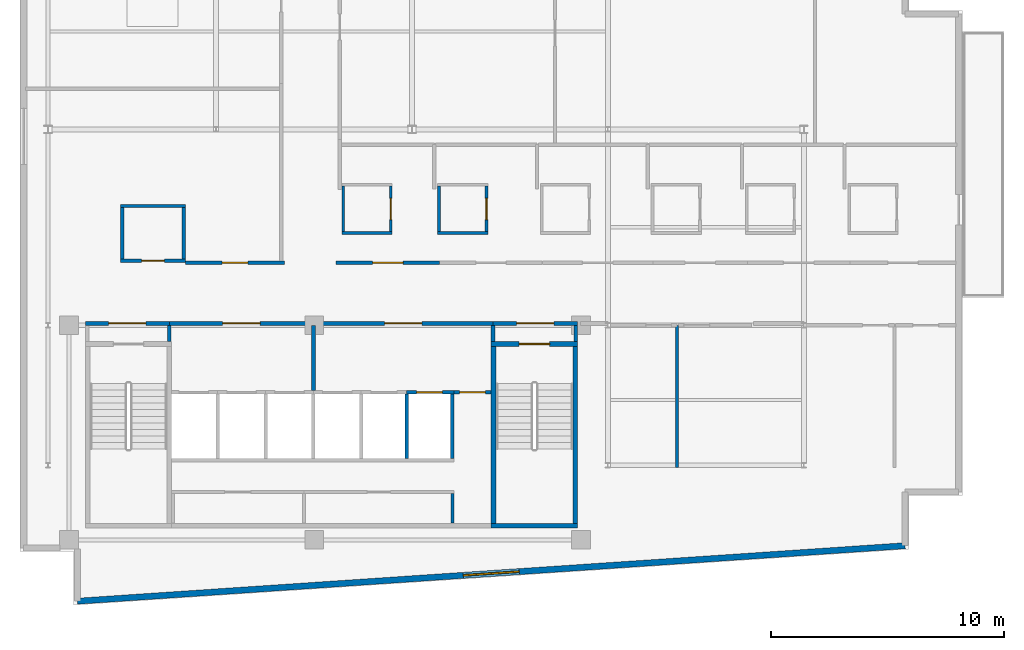
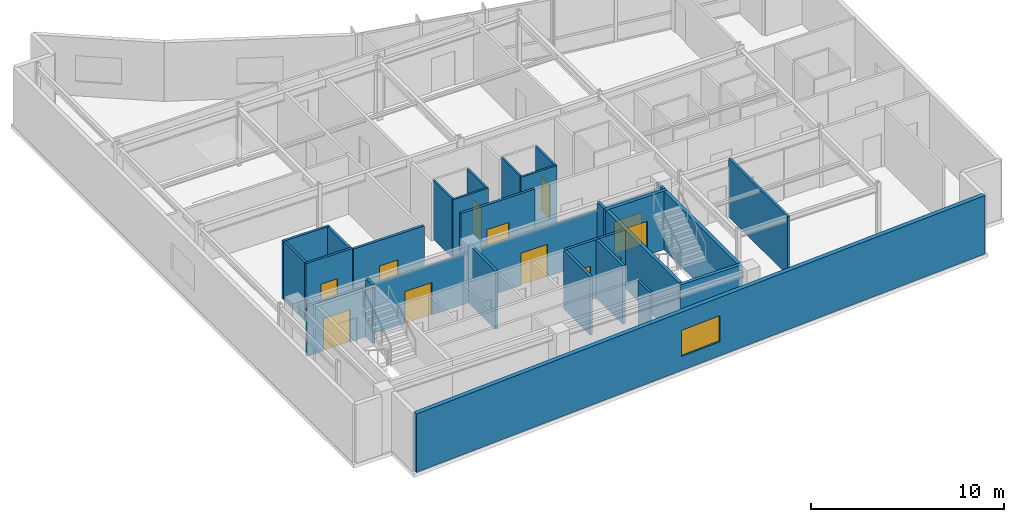
# One storey, part 10 of 16: 31 walls, 12 doors, 1 window, 13 openings.
"""IFC4 building model written with IfcOpenShell, lengths in metres."""

from ifc_helpers import new_model, si_unit, direction, frame, frame_2d, origin, place, context, subcontext, project, spatial, rectangle, extrude, material, layer, layer_set, type_object, element, fill, save


model = new_model("IFC4")

# Units and contexts
model_context = context("Model", 3, precision=1e-05, world=origin(), true_north=direction((0.0, 1.0)))
body_context = subcontext(model_context, "Body", "Model", "MODEL_VIEW")
ifc_project = project(units=[si_unit("LENGTHUNIT", "METRE"), si_unit("AREAUNIT", "SQUARE_METRE"), si_unit("VOLUMEUNIT", "CUBIC_METRE"), si_unit("PLANEANGLEUNIT", "RADIAN"), si_unit("MASSUNIT", "GRAM", prefix="KILO")], contexts=[model_context])

# Site, building, storey
site_placement = place(None, origin())
site = spatial("IfcSite", under=ifc_project, at=site_placement, CompositionType="ELEMENT")
building_placement = place(site_placement, origin())
building = spatial("IfcBuilding", under=site, at=building_placement, Name="Varnakote Quay Hospital", CompositionType="ELEMENT")
storey_placement = place(building_placement, frame((0.0, 0.0, 296.050048828125)))
storey = spatial("IfcBuildingStorey", under=building, at=storey_placement, Name="L73", CompositionType="ELEMENT", Elevation=296.050048828125)

# Wall, opening, door
ifc_material_1 = material(Name="Fire-rated acoustic gypsum stud wall", Category="gypsum")
ifc_layer_1 = layer(ifc_material_1, 0.159912109375)
ifc_layer_set_1 = layer_set([ifc_layer_1], Name="Fire-rated acoustic gypsum stud wall")
wall_type_1 = type_object("IfcWallType", Name="WL-COMP-160", PredefinedType="PARTITIONING", material=ifc_layer_set_1)
wall_1_placement = place(storey_placement, frame((2.800048828125, 12.080078125, 0.0), z_axis=(0.0, 0.0, 1.0), x_axis=(1.0, 0.0, 0.0)))
wall_1 = element("IfcWall", 1, at=wall_1_placement, inside=storey, type_object=wall_type_1, Name="L73 West Stair Vestibule Smoke Wall", PredefinedType="PARTITIONING", context=body_context, shape_type="SweptSolid", body=[
    extrude(rectangle(XDim=3.599853515625, YDim=0.159912109375, at=frame_2d((1.7998046875, 0.0))), origin(), (0.0, 0.0, 1.0), 3.156982421875),
])
opening_1_placement = place(wall_1_placement, frame((1.0, 0.0, 0.0)))
opening_1 = element("IfcOpeningElement", 2, at=opening_1_placement, cuts=wall_1, Name="Opening D-ST1L-L73", PredefinedType="OPENING", context=body_context, shape_type="SweptSolid", body=[
    extrude(rectangle(XDim=1.60009765625, YDim=2.050048828125, at=frame_2d((0.800048828125, 1.02490234375))), frame((0.0, 0.08984375, 0.0), z_axis=(0.0, -1.0, 0.0), x_axis=(1.0, 0.0, 0.0)), (0.0, 0.0, 1.0), 0.179931640625),
])
ifc_material_2 = material(Name="Fire-rated double smoke lobby door")
door_type_1 = type_object("IfcDoorType", Name="DR-LOBBY-FD60S-1600x2150", OperationType="NOTDEFINED", PredefinedType="DOOR", material=ifc_material_2)
door_1_placement = place(opening_1_placement, origin())
door_1 = element("IfcDoor", 3, at=door_1_placement, inside=storey, type_object=door_type_1, Name="L73 West Stair Vestibule Smoke Door", OperationType="DOUBLE_DOOR_SINGLE_SWING", OverallHeight=2.050048828125, OverallWidth=1.60009765625, PredefinedType="DOOR", context=body_context, shape_type="SweptSolid", body=[
    extrude(rectangle(XDim=1.60009765625, YDim=2.050048828125, at=frame_2d((0.800048828125, 1.02490234375))), frame((0.0, 0.02490234375, 0.0), z_axis=(0.0, -1.0, 0.0), x_axis=(1.0, 0.0, 0.0)), (0.0, 0.0, 1.0), 0.050048828125),
])
fill(opening_1, door_1)

# Wall
wall_2_placement = place(storey_placement, frame((6.39990234375, 11.300048828125, 0.0), z_axis=(0.0, 0.0, 1.0), x_axis=(0.0, 1.0, 0.0)))
element("IfcWall", 4, at=wall_2_placement, inside=storey, type_object=wall_type_1, Name="L73 Firefighting Lobby West Wall", PredefinedType="PARTITIONING", context=body_context, shape_type="SweptSolid", body=[
    extrude(rectangle(XDim=0.699951171875, YDim=0.159912109375, at=frame_2d((0.35009765625, 0.0))), origin(), (0.0, 0.0, 1.0), 3.7099609375),
])

# Wall, opening, door
wall_3_placement = place(storey_placement, frame((6.39990234375, 12.080078125, 0.0), z_axis=(0.0, 0.0, 1.0), x_axis=(1.0, 0.0, 0.0)))
wall_3 = element("IfcWall", 5, at=wall_3_placement, inside=storey, type_object=wall_type_1, Name="L73 Firefighting Lift Lobby Compartment Wall", PredefinedType="PARTITIONING", context=body_context, shape_type="SweptSolid", body=[
    extrude(rectangle(XDim=6.18017578125, YDim=0.159912109375, at=frame_2d((3.090087890625, 0.0))), origin(), (0.0, 0.0, 1.0), 3.156982421875),
])
opening_2_placement = place(wall_3_placement, frame((2.2900390625, 0.0, 0.0)))
opening_2 = element("IfcOpeningElement", 6, at=opening_2_placement, cuts=wall_3, Name="Opening D-FFL-L73", PredefinedType="OPENING", context=body_context, shape_type="SweptSolid", body=[
    extrude(rectangle(XDim=1.60009765625, YDim=2.050048828125, at=frame_2d((0.800048828125, 1.02490234375))), frame((0.0, 0.08984375, 0.0), z_axis=(0.0, -1.0, 0.0), x_axis=(1.0, 0.0, 0.0)), (0.0, 0.0, 1.0), 0.179931640625),
])
door_2_placement = place(opening_2_placement, origin())
door_2 = element("IfcDoor", 7, at=door_2_placement, inside=storey, type_object=door_type_1, Name="L73 Firefighting Smoke Vestibule Door", OperationType="DOUBLE_DOOR_SINGLE_SWING", OverallHeight=2.050048828125, OverallWidth=1.60009765625, PredefinedType="DOOR", context=body_context, shape_type="SweptSolid", body=[
    extrude(rectangle(XDim=1.60009765625, YDim=2.050048828125, at=frame_2d((0.800048828125, 1.02490234375))), frame((0.0, 0.02490234375, 0.0), z_axis=(0.0, -1.0, 0.0), x_axis=(1.0, 0.0, 0.0)), (0.0, 0.0, 1.0), 0.050048828125),
])
fill(opening_2, door_2)

# Wall
wall_4_placement = place(storey_placement, frame((12.580078125, 9.2099609375, 0.0), z_axis=(0.0, 0.0, 1.0), x_axis=(0.0, 1.0, 0.0)))
element("IfcWall", 8, at=wall_4_placement, inside=storey, type_object=wall_type_1, Name="L73 Firefighting to Service Lobby Wall", PredefinedType="PARTITIONING", context=body_context, shape_type="SweptSolid", body=[
    extrude(rectangle(XDim=2.7900390625, YDim=0.159912109375, at=frame_2d((1.39501953125, 0.0))), origin(), (0.0, 0.0, 1.0), 3.7099609375),
])

# Wall, opening, door
wall_5_placement = place(storey_placement, frame((12.580078125, 12.080078125, 0.0), z_axis=(0.0, 0.0, 1.0), x_axis=(1.0, 0.0, 0.0)))
wall_5 = element("IfcWall", 9, at=wall_5_placement, inside=storey, type_object=wall_type_1, Name="L73 Clinical Bed Lift Lobby Wall", PredefinedType="PARTITIONING", context=body_context, shape_type="SweptSolid", body=[
    extrude(rectangle(XDim=7.699951171875, YDim=0.159912109375, at=frame_2d((3.85009765625, 0.0))), origin(), (0.0, 0.0, 1.0), 3.156982421875),
])
opening_3_placement = place(wall_5_placement, frame((3.050048828125, 0.0, 0.0)))
opening_3 = element("IfcOpeningElement", 10, at=opening_3_placement, cuts=wall_5, Name="Opening D-SVL-L73", PredefinedType="OPENING", context=body_context, shape_type="SweptSolid", body=[
    extrude(rectangle(XDim=1.60009765625, YDim=2.050048828125, at=frame_2d((0.800048828125, 1.02490234375))), frame((0.0, 0.08984375, 0.0), z_axis=(0.0, -1.0, 0.0), x_axis=(1.0, 0.0, 0.0)), (0.0, 0.0, 1.0), 0.179931640625),
])
door_3_placement = place(opening_3_placement, origin())
door_3 = element("IfcDoor", 11, at=door_3_placement, inside=storey, type_object=door_type_1, Name="L73 Clinical Core Smoke Vestibule Door", OperationType="DOUBLE_DOOR_SINGLE_SWING", OverallHeight=2.050048828125, OverallWidth=1.60009765625, PredefinedType="DOOR", context=body_context, shape_type="SweptSolid", body=[
    extrude(rectangle(XDim=1.60009765625, YDim=2.050048828125, at=frame_2d((0.800048828125, 1.02490234375))), frame((0.0, 0.02490234375, 0.0), z_axis=(0.0, -1.0, 0.0), x_axis=(1.0, 0.0, 0.0)), (0.0, 0.0, 1.0), 0.050048828125),
])
fill(opening_3, door_3)

# Wall
wall_6_placement = place(storey_placement, frame((20.280029296875, 11.300048828125, 0.0), z_axis=(0.0, 0.0, 1.0), x_axis=(0.0, 1.0, 0.0)))
element("IfcWall", 12, at=wall_6_placement, inside=storey, type_object=wall_type_1, Name="L73 East Stair Vestibule Divider Wall", PredefinedType="PARTITIONING", context=body_context, shape_type="SweptSolid", body=[
    extrude(rectangle(XDim=0.699951171875, YDim=0.159912109375, at=frame_2d((0.35009765625, 0.0))), origin(), (0.0, 0.0, 1.0), 3.7099609375),
])

# Wall, opening, door
wall_7_placement = place(storey_placement, frame((20.280029296875, 12.080078125, 0.0), z_axis=(0.0, 0.0, 1.0), x_axis=(1.0, 0.0, 0.0)))
wall_7 = element("IfcWall", 13, at=wall_7_placement, inside=storey, type_object=wall_type_1, Name="L73 East Stair Vestibule Smoke Wall", PredefinedType="PARTITIONING", context=body_context, shape_type="SweptSolid", body=[
    extrude(rectangle(XDim=3.619873046875, YDim=0.159912109375, at=frame_2d((1.81005859375, 0.0))), origin(), (0.0, 0.0, 1.0), 3.156982421875),
])
opening_4_placement = place(wall_7_placement, frame((1.010009765625, 0.0, 0.0)))
opening_4 = element("IfcOpeningElement", 14, at=opening_4_placement, cuts=wall_7, Name="Opening D-ST2L-L73", PredefinedType="OPENING", context=body_context, shape_type="SweptSolid", body=[
    extrude(rectangle(XDim=1.60009765625, YDim=2.050048828125, at=frame_2d((0.800048828125, 1.02490234375))), frame((0.0, 0.08984375, 0.0), z_axis=(0.0, -1.0, 0.0), x_axis=(1.0, 0.0, 0.0)), (0.0, 0.0, 1.0), 0.179931640625),
])
door_4_placement = place(opening_4_placement, origin())
door_4 = element("IfcDoor", 15, at=door_4_placement, inside=storey, type_object=door_type_1, Name="L73 East Stair Vestibule Smoke Door", OperationType="DOUBLE_DOOR_SINGLE_SWING", OverallHeight=2.050048828125, OverallWidth=1.60009765625, PredefinedType="DOOR", context=body_context, shape_type="SweptSolid", body=[
    extrude(rectangle(XDim=1.60009765625, YDim=2.050048828125, at=frame_2d((0.800048828125, 1.02490234375))), frame((0.0, 0.02490234375, 0.0), z_axis=(0.0, -1.0, 0.0), x_axis=(1.0, 0.0, 0.0)), (0.0, 0.0, 1.0), 0.050048828125),
])
fill(opening_4, door_4)

# Walls
wall_8_placement = place(storey_placement, frame((23.820068359375, 11.300048828125, 0.0), z_axis=(0.0, 0.0, 1.0), x_axis=(0.0, 1.0, 0.0)))
element("IfcWall", 16, at=wall_8_placement, inside=storey, type_object=wall_type_1, Name="L73 East Stair Vestibule East Wall", PredefinedType="PARTITIONING", context=body_context, shape_type="SweptSolid", body=[
    extrude(rectangle(XDim=0.699951171875, YDim=0.159912109375, at=frame_2d((0.35009765625, 0.0))), origin(), (0.0, 0.0, 1.0), 3.7099609375),
])
ifc_material_3 = material(Name="Moisture-resistant bathroom partition", Category="gypsum")
ifc_layer_2 = layer(ifc_material_3, 0.114990234375)
ifc_layer_set_2 = layer_set([ifc_layer_2], Name="Moisture-resistant bathroom partition")
wall_type_2 = type_object("IfcWallType", Name="WL-ENS-115", PredefinedType="PARTITIONING", material=ifc_layer_set_2)
wall_9_placement = place(storey_placement, frame((13.804931640625, 15.952392578125, 0.0), z_axis=(0.0, 0.0, 1.0), x_axis=(1.0, 0.0, 0.0)))
element("IfcWall", 17, at=wall_9_placement, inside=storey, type_object=wall_type_2, Name="L73 Inpatient En-Suite Bathroom 01 S Wall", PredefinedType="PARTITIONING", context=body_context, shape_type="SweptSolid", body=[
    extrude(rectangle(XDim=2.150146484375, YDim=0.114990234375, at=frame_2d((1.0751953125, 0.0))), origin(), (0.0, 0.0, 1.0), 3.7099609375),
])
wall_10_placement = place(storey_placement, frame((13.862548828125, 16.010009765625, 0.0), z_axis=(0.0, 0.0, 1.0), x_axis=(0.0, 1.0, 0.0)))
element("IfcWall", 18, at=wall_10_placement, inside=storey, type_object=wall_type_2, Name="L73 Inpatient En-Suite Bathroom 01 W Wall", PredefinedType="PARTITIONING", context=body_context, shape_type="SweptSolid", body=[
    extrude(rectangle(XDim=1.949951171875, YDim=0.114990234375, at=frame_2d((0.97509765625, 0.0))), origin(), (0.0, 0.0, 1.0), 3.7099609375),
])

# Wall, opening, door
wall_11_placement = place(storey_placement, frame((15.8974609375, 16.010009765625, 0.0), z_axis=(0.0, 0.0, 1.0), x_axis=(0.0, 1.0, 0.0)))
wall_11 = element("IfcWall", 19, at=wall_11_placement, inside=storey, type_object=wall_type_2, Name="L73 Inpatient En-Suite Bathroom 01 E Wall", PredefinedType="PARTITIONING", context=body_context, shape_type="SweptSolid", body=[
    extrude(rectangle(XDim=1.949951171875, YDim=0.114990234375, at=frame_2d((0.97509765625, 0.0))), origin(), (0.0, 0.0, 1.0), 3.7099609375),
])
opening_5_placement = place(wall_11_placement, frame((0.514892578125, 0.0, 0.0)))
opening_5 = element("IfcOpeningElement", 20, at=opening_5_placement, cuts=wall_11, Name="Opening D-L73-ENS01", PredefinedType="OPENING", context=body_context, shape_type="SweptSolid", body=[
    extrude(rectangle(XDim=0.919921875, YDim=2.10009765625, at=frame_2d((0.4599609375, 1.050048828125))), frame((0.0, 0.0673828125, 0.0), z_axis=(0.0, -1.0, 0.0), x_axis=(1.0, 0.0, 0.0)), (0.0, 0.0, 1.0), 0.135009765625),
])
ifc_material_4 = material(Name="Moisture-sealed en-suite bathroom door")
door_type_2 = type_object("IfcDoorType", Name="DR-ENS-920x2100", OperationType="NOTDEFINED", PredefinedType="DOOR", material=ifc_material_4)
door_5_placement = place(opening_5_placement, origin())
door_5 = element("IfcDoor", 21, at=door_5_placement, inside=storey, type_object=door_type_2, Name="L73 Inpatient En-Suite Bathroom 01 Door", OperationType="SINGLE_SWING_RIGHT", OverallHeight=2.10009765625, OverallWidth=0.919921875, PredefinedType="DOOR", context=body_context, shape_type="SweptSolid", body=[
    extrude(rectangle(XDim=0.919921875, YDim=2.10009765625, at=frame_2d((0.4599609375, 1.050048828125))), frame((0.0, 0.02490234375, 0.0), z_axis=(0.0, -1.0, 0.0), x_axis=(1.0, 0.0, 0.0)), (0.0, 0.0, 1.0), 0.050048828125),
])
fill(opening_5, door_5)

# Walls
wall_12_placement = place(storey_placement, frame((17.905029296875, 15.952392578125, 0.0), z_axis=(0.0, 0.0, 1.0), x_axis=(1.0, 0.0, 0.0)))
element("IfcWall", 22, at=wall_12_placement, inside=storey, type_object=wall_type_2, Name="L73 Inpatient En-Suite Bathroom 02 S Wall", PredefinedType="PARTITIONING", context=body_context, shape_type="SweptSolid", body=[
    extrude(rectangle(XDim=2.14990234375, YDim=0.114990234375, at=frame_2d((1.074951171875, 0.0))), origin(), (0.0, 0.0, 1.0), 3.7099609375),
])
wall_13_placement = place(storey_placement, frame((17.96240234375, 16.010009765625, 0.0), z_axis=(0.0, 0.0, 1.0), x_axis=(0.0, 1.0, 0.0)))
element("IfcWall", 23, at=wall_13_placement, inside=storey, type_object=wall_type_2, Name="L73 Inpatient En-Suite Bathroom 02 W Wall", PredefinedType="PARTITIONING", context=body_context, shape_type="SweptSolid", body=[
    extrude(rectangle(XDim=1.949951171875, YDim=0.114990234375, at=frame_2d((0.97509765625, 0.0))), origin(), (0.0, 0.0, 1.0), 3.7099609375),
])

# Wall, opening, door
wall_14_placement = place(storey_placement, frame((19.99755859375, 16.010009765625, 0.0), z_axis=(0.0, 0.0, 1.0), x_axis=(0.0, 1.0, 0.0)))
wall_14 = element("IfcWall", 24, at=wall_14_placement, inside=storey, type_object=wall_type_2, Name="L73 Inpatient En-Suite Bathroom 02 E Wall", PredefinedType="PARTITIONING", context=body_context, shape_type="SweptSolid", body=[
    extrude(rectangle(XDim=1.949951171875, YDim=0.114990234375, at=frame_2d((0.97509765625, 0.0))), origin(), (0.0, 0.0, 1.0), 3.7099609375),
])
opening_6_placement = place(wall_14_placement, frame((0.514892578125, 0.0, 0.0)))
opening_6 = element("IfcOpeningElement", 25, at=opening_6_placement, cuts=wall_14, Name="Opening D-L73-ENS02", PredefinedType="OPENING", context=body_context, shape_type="SweptSolid", body=[
    extrude(rectangle(XDim=0.919921875, YDim=2.10009765625, at=frame_2d((0.4599609375, 1.050048828125))), frame((0.0, 0.0673828125, 0.0), z_axis=(0.0, -1.0, 0.0), x_axis=(1.0, 0.0, 0.0)), (0.0, 0.0, 1.0), 0.135009765625),
])
door_6_placement = place(opening_6_placement, origin())
door_6 = element("IfcDoor", 26, at=door_6_placement, inside=storey, type_object=door_type_2, Name="L73 Inpatient En-Suite Bathroom 02 Door", OperationType="SINGLE_SWING_LEFT", OverallHeight=2.10009765625, OverallWidth=0.919921875, PredefinedType="DOOR", context=body_context, shape_type="SweptSolid", body=[
    extrude(rectangle(XDim=0.919921875, YDim=2.10009765625, at=frame_2d((0.4599609375, 1.050048828125))), frame((0.0, 0.02490234375, 0.0), z_axis=(0.0, -1.0, 0.0), x_axis=(1.0, 0.0, 0.0)), (0.0, 0.0, 1.0), 0.050048828125),
])
fill(opening_6, door_6)

# Wall, opening, window
ifc_material_5 = material(Name="Precast concrete N50 (f'c 50 MPa)", Category="concrete")
ifc_layer_3 = layer(ifc_material_5, 0.260009765625)
ifc_layer_set_3 = layer_set([ifc_layer_3], Name="Precast concrete N50 (f'c 50 MPa)")
wall_type_3 = type_object("IfcWallType", Name="WL-EXT-BRICK-260", PredefinedType="STANDARD", material=ifc_layer_set_3)
wall_15_placement = place(storey_placement, frame((2.4599609375, 0.171142578125, 0.0), z_axis=(0.0, 0.0, 1.0), x_axis=(0.997760665813, 0.066885377746, 0.0)))
wall_15 = element("IfcWall", 27, at=wall_15_placement, inside=storey, type_object=wall_type_3, Name="L73 Brick-Faced Precast Exterior Wall", PredefinedType="STANDARD", context=body_context, shape_type="SweptSolid", body=[
    extrude(rectangle(XDim=35.5595703125, YDim=0.260009765625, at=frame_2d((17.77978515625, 0.0))), origin(), (0.0, 0.0, 1.0), 3.7099609375),
])
opening_7_placement = place(wall_15_placement, frame((16.579833984375, 0.0, 0.89990234375)))
opening_7 = element("IfcOpeningElement", 28, at=opening_7_placement, cuts=wall_15, Name="Opening WN-0294", PredefinedType="OPENING", context=body_context, shape_type="SweptSolid", body=[
    extrude(rectangle(XDim=2.39990234375, YDim=1.64990234375, at=frame_2d((1.199951171875, 0.824951171875))), frame((0.0, 0.139892578125, 0.0), z_axis=(0.0, -1.0, 0.0), x_axis=(1.0, 0.0, 0.0)), (0.0, 0.0, 1.0), 0.280029296875),
])
ifc_material_6 = material(Name="Double-glazed low-E solar glass", Category="glass")
window_type = type_object("IfcWindowType", Name="WIN-CLIN-2400x1650", PartitioningType="SINGLE_PANEL", PredefinedType="WINDOW", material=ifc_material_6)
window_placement = place(opening_7_placement, origin())
window = element("IfcWindow", 29, at=window_placement, inside=storey, type_object=window_type, Name="L73 Solar-Control Clinical Window", OverallHeight=1.64990234375, OverallWidth=2.39990234375, PartitioningType="SINGLE_PANEL", PredefinedType="WINDOW", context=body_context, shape_type="SweptSolid", body=[
    extrude(rectangle(XDim=2.39990234375, YDim=1.64990234375, at=frame_2d((1.199951171875, 0.824951171875))), frame((0.0, 0.030029296875, 0.0), z_axis=(0.0, -1.0, 0.0), x_axis=(1.0, 0.0, 0.0)), (0.0, 0.0, 1.0), 0.06005859375),
])
fill(opening_7, window)

# Walls
ifc_material_7 = material(Name="Concrete N50 (f'c 50 MPa)", Category="concrete")
ifc_layer_4 = layer(ifc_material_7, 0.14990234375)
ifc_layer_set_4 = layer_set([ifc_layer_4], Name="Concrete N50 (f'c 50 MPa)")
wall_type_4 = type_object("IfcWallType", Name="WL-SHAFT-N50-150", PredefinedType="SHEAR", material=ifc_layer_set_4)
wall_16_placement = place(storey_placement, frame((16.574951171875, 6.300048828125, 0.0), z_axis=(0.0, 0.0, 1.0), x_axis=(0.0, 1.0, 0.0)))
element("IfcWall", 30, at=wall_16_placement, inside=storey, type_object=wall_type_4, Name="L73 LF-PH1 Hoistway Divider Wall", PredefinedType="SHEAR", context=body_context, shape_type="SweptSolid", body=[
    extrude(rectangle(XDim=2.75, YDim=0.14990234375, at=frame_2d((1.375, 0.0))), origin(), (0.0, 0.0, 1.0), 3.7099609375),
])
ifc_material_8 = material(Name="Concrete N50 (f'c 50 MPa)", Category="concrete")
ifc_layer_5 = layer(ifc_material_8, 0.159912109375)
ifc_layer_set_5 = layer_set([ifc_layer_5], Name="Concrete N50 (f'c 50 MPa)")
wall_type_5 = type_object("IfcWallType", Name="WL-SHAFT-N50-160", PredefinedType="SHEAR", material=ifc_layer_set_5)
wall_17_placement = place(storey_placement, frame((18.530029296875, 6.300048828125, 0.0), z_axis=(0.0, 0.0, 1.0), x_axis=(0.0, 1.0, 0.0)))
element("IfcWall", 31, at=wall_17_placement, inside=storey, type_object=wall_type_5, Name="L73 REAR Lift Bank East Shear Wall", PredefinedType="SHEAR", context=body_context, shape_type="SweptSolid", body=[
    extrude(rectangle(XDim=2.75, YDim=0.159912109375, at=frame_2d((1.375, 0.0))), origin(), (0.0, 0.0, 1.0), 3.7099609375),
])

# Wall, opening, door
wall_18_placement = place(storey_placement, frame((16.574951171875, 9.1298828125, 0.0), z_axis=(0.0, 0.0, 1.0), x_axis=(1.0, 0.0, 0.0)))
wall_18 = element("IfcWall", 32, at=wall_18_placement, inside=storey, type_object=wall_type_5, Name="L73 LF-PH2 Hoistway Front Wall", PredefinedType="SHEAR", context=body_context, shape_type="SweptSolid", body=[
    extrude(rectangle(XDim=2.03515625, YDim=0.159912109375, at=frame_2d((1.017578125, 0.0))), origin(), (0.0, 0.0, 1.0), 3.7099609375),
])
opening_8_placement = place(wall_18_placement, frame((0.425048828125, 0.0, 0.0)))
opening_8 = element("IfcOpeningElement", 33, at=opening_8_placement, cuts=wall_18, Name="Opening LD-PH2-L73", PredefinedType="OPENING", context=body_context, shape_type="SweptSolid", body=[
    extrude(rectangle(XDim=1.10009765625, YDim=2.14990234375, at=frame_2d((0.550048828125, 1.074951171875))), frame((0.0, 0.08984375, 0.0), z_axis=(0.0, -1.0, 0.0), x_axis=(1.0, 0.0, 0.0)), (0.0, 0.0, 1.0), 0.179931640625),
])
ifc_material_9 = material(Name="Brushed bronze lift landing sliding door")
door_type_3 = type_object("IfcDoorType", Name="DR-LIFT-LD-1100x2150", OperationType="NOTDEFINED", PredefinedType="DOOR", material=ifc_material_9)
door_7_placement = place(opening_8_placement, origin())
door_7 = element("IfcDoor", 34, at=door_7_placement, inside=storey, type_object=door_type_3, Name="L73 LF-PH2 Lift Landing Sliding Door", OperationType="SLIDING_TO_LEFT", OverallHeight=2.14990234375, OverallWidth=1.10009765625, PredefinedType="DOOR", context=body_context, shape_type="SweptSolid", body=[
    extrude(rectangle(XDim=1.10009765625, YDim=2.14990234375, at=frame_2d((0.550048828125, 1.074951171875))), frame((0.0, 0.02490234375, 0.0), z_axis=(0.0, -1.0, 0.0), x_axis=(1.0, 0.0, 0.0)), (0.0, 0.0, 1.0), 0.050048828125),
])
fill(opening_8, door_7)

# Walls
ifc_material_10 = material(Name="Concrete N50 (f'c 50 MPa)", Category="concrete")
ifc_layer_6 = layer(ifc_material_10, 0.199951171875)
ifc_layer_set_6 = layer_set([ifc_layer_6], Name="Concrete N50 (f'c 50 MPa)")
wall_type_6 = type_object("IfcWallType", Name="WL-SHAFT-N50-200", PredefinedType="SHEAR", material=ifc_layer_set_6)
wall_19_placement = place(storey_placement, frame((20.199951171875, 3.39990234375, 0.0), z_axis=(0.0, 0.0, 1.0), x_axis=(1.0, 0.0, 0.0)))
element("IfcWall", 35, at=wall_19_placement, inside=storey, type_object=wall_type_6, Name="L73 Stair ST2 South Shaft Wall", PredefinedType="SHEAR", context=body_context, shape_type="SweptSolid", body=[
    extrude(rectangle(XDim=3.699951171875, YDim=0.199951171875, at=frame_2d((1.85009765625, 0.0))), origin(), (0.0, 0.0, 1.0), 3.7099609375),
])
for number, where, z_axis, x_axis, name in (
    (36, (20.300048828125, 3.5, 0.0), (0.0, 0.0, 1.0), (0.0, 1.0, 0.0), "L73 Stair ST2 West Shaft Wall"),
    (37, (23.800048828125, 3.5, 0.0), (0.0, 0.0, 1.0), (0.0, 1.0, 0.0), "L73 Stair ST2 East Shaft Wall"),
):
    element("IfcWall", number, at=place(storey_placement, frame(where, z_axis=z_axis, x_axis=x_axis)), inside=storey, type_object=wall_type_6, Name=name, PredefinedType="SHEAR", context=body_context, shape_type="SweptSolid", body=[
        extrude(rectangle(XDim=7.60009765625, YDim=0.199951171875, at=frame_2d((3.800048828125, 0.0))), origin(), (0.0, 0.0, 1.0), 3.7099609375),
    ])

# Wall, opening, door
wall_20_placement = place(storey_placement, frame((20.199951171875, 11.199951171875, 0.0), z_axis=(0.0, 0.0, 1.0), x_axis=(1.0, 0.0, 0.0)))
wall_20 = element("IfcWall", 38, at=wall_20_placement, inside=storey, type_object=wall_type_6, Name="L73 Stair ST2 Exit Wall", PredefinedType="SHEAR", context=body_context, shape_type="SweptSolid", body=[
    extrude(rectangle(XDim=3.699951171875, YDim=0.199951171875, at=frame_2d((1.85009765625, 0.0))), origin(), (0.0, 0.0, 1.0), 3.7099609375),
])
opening_9_placement = place(wall_20_placement, frame((1.199951171875, 0.0, 0.0)))
opening_9 = element("IfcOpeningElement", 39, at=opening_9_placement, cuts=wall_20, Name="Opening D-ST2-L73", PredefinedType="OPENING", context=body_context, shape_type="SweptSolid", body=[
    extrude(rectangle(XDim=1.300048828125, YDim=2.14990234375, at=frame_2d((0.64990234375, 1.074951171875))), frame((0.0, 0.10986328125, 0.0), z_axis=(0.0, -1.0, 0.0), x_axis=(1.0, 0.0, 0.0)), (0.0, 0.0, 1.0), 0.219970703125),
])
ifc_material_11 = material(Name="Fire-rated ceramic-glazed timber exit door", Category="wood")
door_type_4 = type_object("IfcDoorType", Name="DR-STAIR-FD60S-1300x2150", OperationType="NOTDEFINED", PredefinedType="DOOR", material=ifc_material_11)
door_8_placement = place(opening_9_placement, origin())
door_8 = element("IfcDoor", 40, at=door_8_placement, inside=storey, type_object=door_type_4, Name="L73 Stair ST2 Fire Exit Door", OperationType="SINGLE_SWING_LEFT", OverallHeight=2.14990234375, OverallWidth=1.300048828125, PredefinedType="DOOR", context=body_context, shape_type="SweptSolid", body=[
    extrude(rectangle(XDim=1.300048828125, YDim=2.14990234375, at=frame_2d((0.64990234375, 1.074951171875))), frame((0.0, 0.02490234375, 0.0), z_axis=(0.0, -1.0, 0.0), x_axis=(1.0, 0.0, 0.0)), (0.0, 0.0, 1.0), 0.050048828125),
])
fill(opening_9, door_8)

# Walls
ifc_material_12 = material(Name="Smoke-proof clinical partition", Category="gypsum")
ifc_layer_7 = layer(ifc_material_12, 0.1201171875)
ifc_layer_set_7 = layer_set([ifc_layer_7], Name="Smoke-proof clinical partition")
wall_type_7 = type_object("IfcWallType", Name="WL-SMOKE-120", PredefinedType="PARTITIONING", material=ifc_layer_set_7)
wall_21_placement = place(storey_placement, frame((18.5400390625, 3.52001953125, 0.0), z_axis=(0.0, 0.0, 1.0), x_axis=(0.0, 1.0, 0.0)))
element("IfcWall", 41, at=wall_21_placement, inside=storey, type_object=wall_type_7, Name="L73 Core South Service East Wall", PredefinedType="PARTITIONING", context=body_context, shape_type="SweptSolid", body=[
    extrude(rectangle(XDim=1.260009765625, YDim=0.1201171875, at=frame_2d((0.6298828125, 0.0))), origin(), (0.0, 0.0, 1.0), 3.7099609375),
])
ifc_material_13 = material(Name="Smoke-proof clinical partition", Category="gypsum")
ifc_layer_8 = layer(ifc_material_13, 0.135009765625)
ifc_layer_set_8 = layer_set([ifc_layer_8], Name="Smoke-proof clinical partition")
wall_type_8 = type_object("IfcWallType", Name="WL-SMOKE-135", PredefinedType="PARTITIONING", material=ifc_layer_set_8)
wall_22_placement = place(storey_placement, frame((28.159912109375, 5.89990234375, 0.0), z_axis=(0.0, 0.0, 1.0), x_axis=(0.0, 1.0, 0.0)))
element("IfcWall", 42, at=wall_22_placement, inside=storey, type_object=wall_type_8, Name="L73 Clinical Interior Partition", PredefinedType="PARTITIONING", context=body_context, shape_type="SweptSolid", body=[
    extrude(rectangle(XDim=6.10009765625, YDim=0.135009765625, at=frame_2d((3.050048828125, 0.0))), origin(), (0.0, 0.0, 1.0), 3.7099609375),
])

# Wall, opening, door
ifc_material_14 = material(Name="Fire-rated clinical gypsum partition", Category="gypsum")
ifc_layer_9 = layer(ifc_material_14, 0.139892578125)
ifc_layer_set_9 = layer_set([ifc_layer_9], Name="Fire-rated clinical gypsum partition")
wall_type_9 = type_object("IfcWallType", Name="WL-WARD-140", PredefinedType="PARTITIONING", material=ifc_layer_set_9)
wall_23_placement = place(storey_placement, frame((18.610107421875, 9.1298828125, 0.0), z_axis=(0.0, 0.0, 1.0), x_axis=(1.0, 0.0, 0.0)))
wall_23 = element("IfcWall", 43, at=wall_23_placement, inside=storey, type_object=wall_type_9, Name="L73 Core Service Corridor North Door Wall", PredefinedType="PARTITIONING", context=body_context, shape_type="SweptSolid", body=[
    extrude(rectangle(XDim=1.58984375, YDim=0.139892578125, at=frame_2d((0.794921875, 0.0))), origin(), (0.0, 0.0, 1.0), 3.7099609375),
])
opening_10_placement = place(wall_23_placement, frame((0.239990234375, 0.0, 0.0)))
opening_10 = element("IfcOpeningElement", 44, at=opening_10_placement, cuts=wall_23, Name="Opening D-CSRV-L73", PredefinedType="OPENING", context=body_context, shape_type="SweptSolid", body=[
    extrude(rectangle(XDim=1.10009765625, YDim=2.10009765625, at=frame_2d((0.550048828125, 1.050048828125))), frame((0.0, 0.079833984375, 0.0), z_axis=(0.0, -1.0, 0.0), x_axis=(1.0, 0.0, 0.0)), (0.0, 0.0, 1.0), 0.159912109375),
])
ifc_material_15 = material(Name="Acoustic timber clinical consult door", Category="wood")
door_type_5 = type_object("IfcDoorType", Name="DR-CLIN-FD30S-1100x2100", OperationType="NOTDEFINED", PredefinedType="DOOR", material=ifc_material_15)
door_9_placement = place(opening_10_placement, origin())
door_9 = element("IfcDoor", 45, at=door_9_placement, inside=storey, type_object=door_type_5, Name="L73 Core Service Corridor Door", OperationType="SINGLE_SWING_RIGHT", OverallHeight=2.10009765625, OverallWidth=1.10009765625, PredefinedType="DOOR", context=body_context, shape_type="SweptSolid", body=[
    extrude(rectangle(XDim=1.10009765625, YDim=2.10009765625, at=frame_2d((0.550048828125, 1.050048828125))), frame((0.0, 0.02490234375, 0.0), z_axis=(0.0, -1.0, 0.0), x_axis=(1.0, 0.0, 0.0)), (0.0, 0.0, 1.0), 0.050048828125),
])
fill(opening_10, door_9)

wall_24_placement = place(storey_placement, frame((4.31005859375, 14.77001953125, 0.0), z_axis=(0.0, 0.0, 1.0), x_axis=(1.0, 0.0, 0.0)))
wall_24 = element("IfcWall", 46, at=wall_24_placement, inside=storey, type_object=wall_type_9, Name="L73 Floor Unisex Accessible WC S Wall", PredefinedType="PARTITIONING", context=body_context, shape_type="SweptSolid", body=[
    extrude(rectangle(XDim=2.780029296875, YDim=0.139892578125, at=frame_2d((1.39013671875, 0.0))), origin(), (0.0, 0.0, 1.0), 3.7099609375),
])
opening_11_placement = place(wall_24_placement, frame((0.89990234375, 0.0, 0.0)))
opening_11 = element("IfcOpeningElement", 47, at=opening_11_placement, cuts=wall_24, Name="Opening D-L73-EW01", PredefinedType="OPENING", context=body_context, shape_type="SweptSolid", body=[
    extrude(rectangle(XDim=0.97998046875, YDim=2.10009765625, at=frame_2d((0.489990234375, 1.050048828125))), frame((0.0, 0.079833984375, 0.0), z_axis=(0.0, -1.0, 0.0), x_axis=(1.0, 0.0, 0.0)), (0.0, 0.0, 1.0), 0.159912109375),
])
ifc_material_16 = material(Name="Accessible sanitary compartment door")
door_type_6 = type_object("IfcDoorType", Name="DR-WC-980x2100", OperationType="NOTDEFINED", PredefinedType="DOOR", material=ifc_material_16)
door_10_placement = place(opening_11_placement, origin())
door_10 = element("IfcDoor", 48, at=door_10_placement, inside=storey, type_object=door_type_6, Name="L73 Floor Unisex Accessible WC Door", OperationType="SINGLE_SWING_LEFT", OverallHeight=2.10009765625, OverallWidth=0.97998046875, PredefinedType="DOOR", context=body_context, shape_type="SweptSolid", body=[
    extrude(rectangle(XDim=0.97998046875, YDim=2.10009765625, at=frame_2d((0.489990234375, 1.050048828125))), frame((0.0, 0.02490234375, 0.0), z_axis=(0.0, -1.0, 0.0), x_axis=(1.0, 0.0, 0.0)), (0.0, 0.0, 1.0), 0.050048828125),
])
fill(opening_11, door_10)

# Walls
wall_25_placement = place(storey_placement, frame((4.31005859375, 17.110107421875, 0.0), z_axis=(0.0, 0.0, 1.0), x_axis=(1.0, 0.0, 0.0)))
element("IfcWall", 49, at=wall_25_placement, inside=storey, type_object=wall_type_9, Name="L73 Floor Unisex Accessible WC N Wall", PredefinedType="PARTITIONING", context=body_context, shape_type="SweptSolid", body=[
    extrude(rectangle(XDim=2.780029296875, YDim=0.139892578125, at=frame_2d((1.39013671875, 0.0))), origin(), (0.0, 0.0, 1.0), 3.7099609375),
])
for number, where, z_axis, x_axis, name in (
    (50, (4.3798828125, 14.840087890625, 0.0), (0.0, 0.0, 1.0), (0.0, 1.0, 0.0), "L73 Floor Unisex Accessible WC W Wall"),
    (51, (7.02001953125, 14.840087890625, 0.0), (0.0, 0.0, 1.0), (0.0, 1.0, 0.0), "L73 Floor Unisex Accessible WC E Wall"),
):
    element("IfcWall", number, at=place(storey_placement, frame(where, z_axis=z_axis, x_axis=x_axis)), inside=storey, type_object=wall_type_9, Name=name, PredefinedType="PARTITIONING", context=body_context, shape_type="SweptSolid", body=[
        extrude(rectangle(XDim=2.199951171875, YDim=0.139892578125, at=frame_2d((1.10009765625, 0.0))), origin(), (0.0, 0.0, 1.0), 3.7099609375),
    ])

# Wall, opening, door
ifc_material_17 = material(Name="Fire-rated clinical gypsum partition", Category="gypsum")
ifc_layer_10 = layer(ifc_material_17, 0.14990234375)
ifc_layer_set_10 = layer_set([ifc_layer_10], Name="Fire-rated clinical gypsum partition")
wall_type_10 = type_object("IfcWallType", Name="WL-WARD-150", PredefinedType="PARTITIONING", material=ifc_layer_set_10)
wall_26_placement = place(storey_placement, frame((11.345947265625, 14.679931640625, 0.0), z_axis=(0.0, 0.0, 1.0), x_axis=(-1.0, 0.0, 0.0)))
wall_26 = element("IfcWall", 52, at=wall_26_placement, inside=storey, type_object=wall_type_10, Name="L73 Clinical Interior Partition", PredefinedType="PARTITIONING", context=body_context, shape_type="SweptSolid", body=[
    extrude(rectangle(XDim=4.25390625, YDim=0.14990234375, at=frame_2d((2.126953125, 0.0))), origin(), (0.0, 0.0, 1.0), 3.7099609375),
])
opening_12_placement = place(wall_26_placement, frame((1.576904296875, 0.0, 0.0)))
opening_12 = element("IfcOpeningElement", 53, at=opening_12_placement, cuts=wall_26, Name="Opening D-L73-MD01", PredefinedType="OPENING", context=body_context, shape_type="SweptSolid", body=[
    extrude(rectangle(XDim=1.10009765625, YDim=2.10009765625, at=frame_2d((0.550048828125, 1.050048828125))), frame((0.0, 0.0849609375, 0.0), z_axis=(0.0, -1.0, 0.0), x_axis=(1.0, 0.0, 0.0)), (0.0, 0.0, 1.0), 0.169921875),
])
door_11_placement = place(opening_12_placement, origin())
door_11 = element("IfcDoor", 54, at=door_11_placement, inside=storey, type_object=door_type_5, Name="L73 Outpatient Specialist Consult Office Door", OperationType="SINGLE_SWING_RIGHT", OverallHeight=2.10009765625, OverallWidth=1.10009765625, PredefinedType="DOOR", context=body_context, shape_type="SweptSolid", body=[
    extrude(rectangle(XDim=1.10009765625, YDim=2.10009765625, at=frame_2d((0.550048828125, 1.050048828125))), frame((0.0, 0.02490234375, 0.0), z_axis=(0.0, -1.0, 0.0), x_axis=(1.0, 0.0, 0.0)), (0.0, 0.0, 1.0), 0.050048828125),
])
fill(opening_12, door_11)

wall_27_placement = place(storey_placement, frame((17.986083984375, 14.679931640625, 0.0), z_axis=(0.0, 0.0, 1.0), x_axis=(-1.0, 0.0, 0.0)))
wall_27 = element("IfcWall", 55, at=wall_27_placement, inside=storey, type_object=wall_type_10, Name="L73 Clinical Interior Partition", PredefinedType="PARTITIONING", context=body_context, shape_type="SweptSolid", body=[
    extrude(rectangle(XDim=4.43212890625, YDim=0.14990234375, at=frame_2d((2.216064453125, 0.0))), origin(), (0.0, 0.0, 1.0), 3.7099609375),
])
opening_13_placement = place(wall_27_placement, frame((1.56591796875, 0.0, 0.0)))
opening_13 = element("IfcOpeningElement", 56, at=opening_13_placement, cuts=wall_27, Name="Opening D-L73-BR01", PredefinedType="OPENING", context=body_context, shape_type="SweptSolid", body=[
    extrude(rectangle(XDim=1.300048828125, YDim=2.14990234375, at=frame_2d((0.64990234375, 1.074951171875))), frame((0.0, 0.0849609375, 0.0), z_axis=(0.0, -1.0, 0.0), x_axis=(1.0, 0.0, 0.0)), (0.0, 0.0, 1.0), 0.169921875),
])
ifc_material_18 = material(Name="Solid-core timber clinical bed door", Category="wood")
door_type_7 = type_object("IfcDoorType", Name="DR-WARD-FD30S-1300x2150", OperationType="NOTDEFINED", PredefinedType="DOOR", material=ifc_material_18)
door_12_placement = place(opening_13_placement, origin())
door_12 = element("IfcDoor", 57, at=door_12_placement, inside=storey, type_object=door_type_7, Name="L73 Resident Care Bedroom 01 Door", OperationType="SINGLE_SWING_LEFT", OverallHeight=2.14990234375, OverallWidth=1.300048828125, PredefinedType="DOOR", context=body_context, shape_type="SweptSolid", body=[
    extrude(rectangle(XDim=1.300048828125, YDim=2.14990234375, at=frame_2d((0.64990234375, 1.074951171875))), frame((0.0, 0.02490234375, 0.0), z_axis=(0.0, -1.0, 0.0), x_axis=(1.0, 0.0, 0.0)), (0.0, 0.0, 1.0), 0.050048828125),
])
fill(opening_13, door_12)

save(model, "model.ifc")
